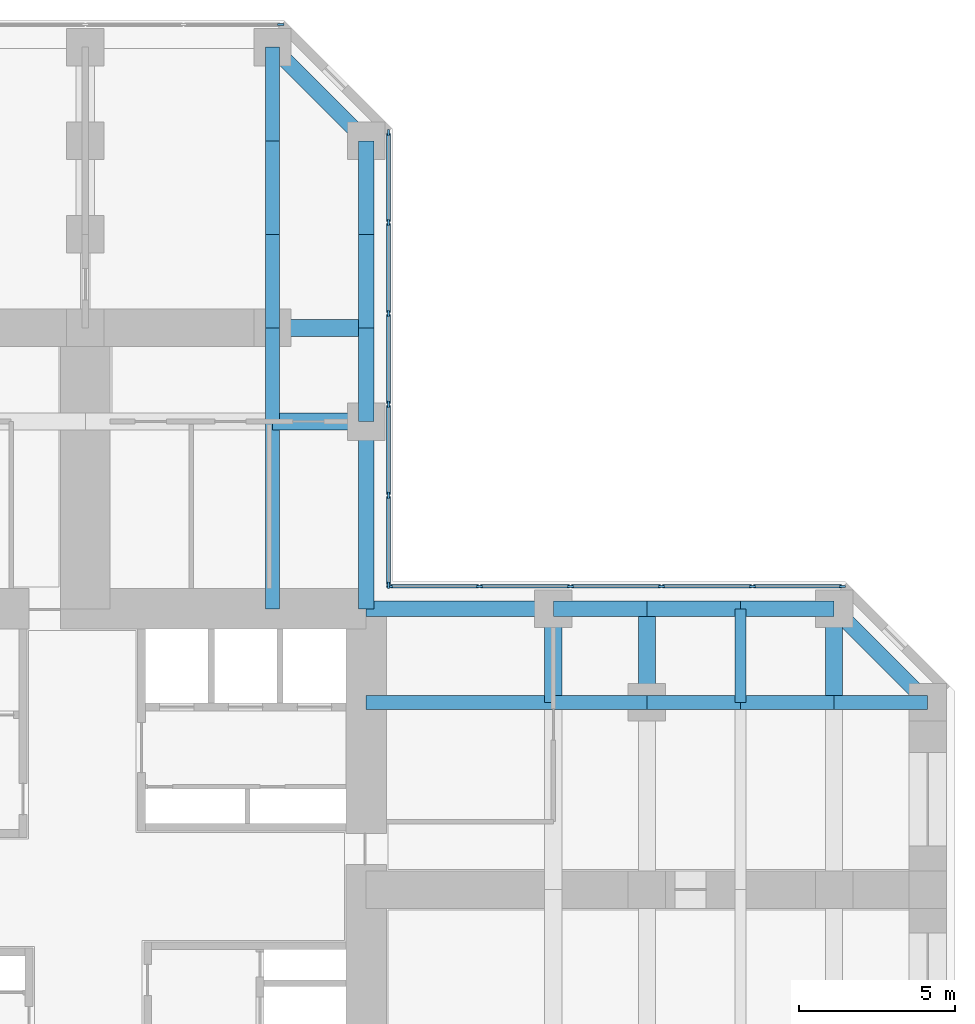
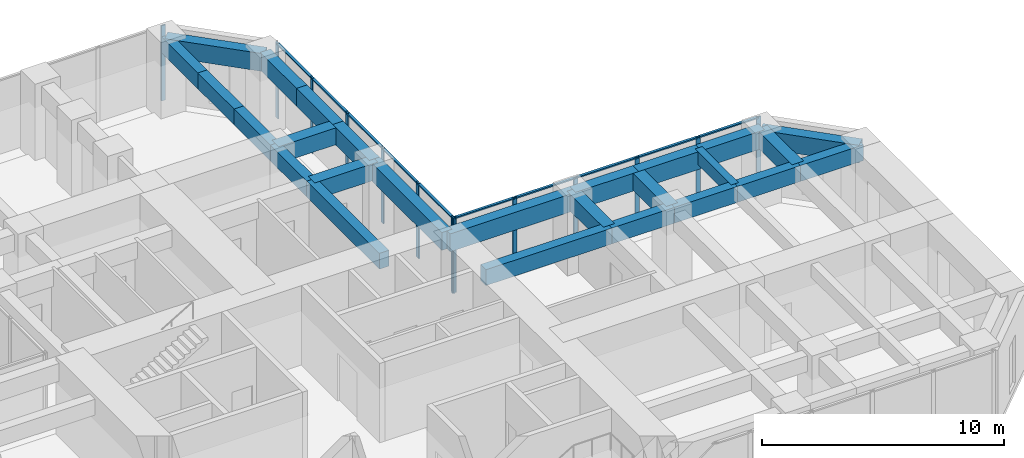
# One storey, part 6 of 12: 26 beams, 23 members, 3 elements without a shape of their own.
"""IFC4 building model written with IfcOpenShell, lengths in metres."""

import ifcopenshell
import ifcopenshell.guid

model = None  # the IFC model being written
_history = None  # IfcOwnerHistory: only IFC2X3 demands one
_inside = {}  # id of a spatial element -> (the spatial element, [elements in it])
_under = {}  # id of a project, library or spatial element -> (it, [spatial elements below it])
_declared = {}  # id of a project -> (the project, [libraries it declares])
_typed = {}  # id of a type object -> (the type object, [elements of that type])
_made_of = {}  # id of a material, layer set ... -> (it, [elements and type objects made of it])


def new_model(schema):
    """Start an empty IFC model of exactly this schema.

    Asked for "IFC4X3", IfcOpenShell would pick the latest addendum, in which some entities
    have other attributes; the version numbers below select the first issue.
    IFC2X3 requires an IfcOwnerHistory on every rooted entity: one is made here for all.
    """
    global model, _history
    if schema == "IFC4X3":
        model = ifcopenshell.file(schema_version=(4, 3, 0, 0))
    else:
        model = ifcopenshell.file(schema=schema)
    _inside.clear()
    _under.clear()
    _declared.clear()
    _typed.clear()
    _made_of.clear()
    _history = None
    if model.schema == "IFC2X3":
        org = make("IfcOrganization", Name="unknown")
        user = make(
            "IfcPersonAndOrganization",
            ThePerson=make("IfcPerson", FamilyName="unknown"),
            TheOrganization=org,
        )
        app = make(
            "IfcApplication",
            ApplicationDeveloper=org,
            Version="unknown",
            ApplicationFullName="unknown",
            ApplicationIdentifier="unknown",
        )
        _history = make(
            "IfcOwnerHistory",
            OwningUser=user,
            OwningApplication=app,
            ChangeAction="ADDED",
            CreationDate=0,
        )
    return model


def make(cls, **values):
    """One entity of the class cls with the attributes given. An attribute that is None is left unset."""
    return model.create_entity(
        cls, **{name: value for name, value in values.items() if value is not None}
    )


def rooted(cls, **values):
    """An entity with a GlobalId (a new one), such as an element, a storey or a relation."""
    return make(cls, GlobalId=ifcopenshell.guid.new(), OwnerHistory=_history, **values)


def si_unit(unit_type, name, prefix=None):
    """IfcSIUnit, for example si_unit("LENGTHUNIT", "METRE", prefix="MILLI")."""
    return make("IfcSIUnit", UnitType=unit_type, Prefix=prefix, Name=name)


def assignment(units):
    """IfcUnitAssignment: the units of a project."""
    return None if units is None else make("IfcUnitAssignment", Units=units)


def point(xyz):
    """IfcCartesianPoint."""
    return None if xyz is None else make("IfcCartesianPoint", Coordinates=xyz)


def direction(xyz):
    """IfcDirection."""
    return None if xyz is None else make("IfcDirection", DirectionRatios=xyz)


def frame(location, z_axis=None, x_axis=None):
    """IfcAxis2Placement3D, a coordinate frame: its origin and axes. An axis left out is left unset."""
    return make(
        "IfcAxis2Placement3D",
        Location=point(location),
        Axis=direction(z_axis),
        RefDirection=direction(x_axis),
    )


def frame_2d(location, x_axis=None):
    """IfcAxis2Placement2D, a coordinate frame in the plane: its origin and x axis."""
    return make(
        "IfcAxis2Placement2D", Location=point(location), RefDirection=direction(x_axis)
    )


def origin():
    """The frame at (0, 0, 0) with its axes left unset."""
    return frame((0.0, 0.0, 0.0))


def origin_2d():
    """The frame at (0, 0) in the plane with its x axis left unset."""
    return frame_2d((0.0, 0.0))


def place(relative_to, where):
    """IfcLocalPlacement: puts the frame where relative to a parent placement (None: the world)."""
    return make(
        "IfcLocalPlacement", PlacementRelTo=relative_to, RelativePlacement=where
    )


def context(
    kind, dimensions, precision=None, world=None, true_north=None, identifier=None
):
    """IfcGeometricRepresentationContext, for example the 3D "Model" context."""
    return make(
        "IfcGeometricRepresentationContext",
        ContextIdentifier=identifier,
        ContextType=kind,
        CoordinateSpaceDimension=dimensions,
        Precision=precision,
        WorldCoordinateSystem=world,
        TrueNorth=true_north,
    )


def subcontext(parent, identifier, kind, view, scale=None):
    """IfcGeometricRepresentationSubContext, for example "Body" below "Model"."""
    return make(
        "IfcGeometricRepresentationSubContext",
        ContextIdentifier=identifier,
        ContextType=kind,
        ParentContext=parent,
        TargetScale=scale,
        TargetView=view,
    )


def project(units=None, contexts=None):
    """IfcProject with its units and contexts."""
    return rooted(
        "IfcProject",
        Name="project",
        RepresentationContexts=contexts,
        UnitsInContext=assignment(units),
    )


def spatial(cls, under=None, at=None, **own):
    """A site, building, storey or space (cls), placed at a placement, below another one or the project."""
    s = rooted(cls, ObjectPlacement=at, **own)
    if under is not None:
        _under.setdefault(under.id(), (under, []))[1].append(s)
    return s


def profile(cls, at=None, kind="AREA", **sizes):
    """A parametric profile (cls). Its sizes go by their IFC names, for example OverallWidth=200.0."""
    return make(cls, ProfileType=kind, Position=at, **sizes)


def rectangle(**sizes):
    """IfcRectangleProfileDef."""
    return profile("IfcRectangleProfileDef", **sizes)


def extrude(swept, where, along, depth):
    """IfcExtrudedAreaSolid: the profile swept, set in the frame where, extruded along a direction by depth."""
    return make(
        "IfcExtrudedAreaSolid",
        SweptArea=swept,
        Position=where,
        ExtrudedDirection=direction(along),
        Depth=depth,
    )


def shape(context_of_items, identifier, shape_type, items):
    """IfcShapeRepresentation: the items that make up one representation, for example the "Body"."""
    return make(
        "IfcShapeRepresentation",
        ContextOfItems=context_of_items,
        RepresentationIdentifier=identifier,
        RepresentationType=shape_type,
        Items=items,
    )


def material(Name=None, Category=None):
    """IfcMaterial."""
    return make("IfcMaterial", Name=Name, Category=Category)


def material_profile(
    of_material, cross_section, Name=None, Category=None, Priority=None
):
    """IfcMaterialProfile: a cross section and its material."""
    return make(
        "IfcMaterialProfile",
        Name=Name,
        Material=of_material,
        Profile=cross_section,
        Priority=Priority,
        Category=Category,
    )


def profile_set(profiles, Name=None, composite=None):
    """IfcMaterialProfileSet."""
    return make(
        "IfcMaterialProfileSet",
        Name=Name,
        MaterialProfiles=profiles,
        CompositeProfile=composite,
    )


def made_of(thing, what):
    """Note that an element or type object is made of a material, layer set ...; save() writes the relation."""
    if what is not None:
        _made_of.setdefault(what.id(), (what, []))[1].append(thing)
    return thing


def type_object(cls, material=None, **own):
    """A type object (cls), such as IfcWallType, which elements share."""
    return made_of(rooted(cls, **own), material)


def element(
    cls,
    number,
    at=None,
    inside=None,
    cuts=None,
    type_object=None,
    material=None,
    context=None,
    identifier="Body",
    shape_type=None,
    held_by="IfcProductDefinitionShape",
    body=None,
    shapes=None,
    **own,
):
    """One element of the class cls, such as IfcWall. Its Tag is "e" and its number.

    at: its placement. inside: the storey or other place that contains it. cuts: it is an
    opening in that element (IfcRelVoidsElement). A single representation is given by context,
    identifier, shape_type and body (its items); several are given by shapes. held_by: the class
    of the entity that holds the representations. save() writes the other relations.
    """
    e = rooted(cls, Tag="e%d" % number, ObjectPlacement=at, **own)
    if body is not None:
        shapes = [shape(context, identifier, shape_type, body)]
    if shapes is not None:
        e.Representation = make(held_by, Representations=shapes)
    if inside is not None:
        _inside.setdefault(inside.id(), (inside, []))[1].append(e)
    if cuts is not None:
        rooted(
            "IfcRelVoidsElement", RelatingBuildingElement=cuts, RelatedOpeningElement=e
        )
    if type_object is not None:
        _typed.setdefault(type_object.id(), (type_object, []))[1].append(e)
    return made_of(e, material)


def aggregate(whole, parts):
    """IfcRelAggregates: a whole, such as a stair, and the parts it consists of."""
    return rooted("IfcRelAggregates", RelatingObject=whole, RelatedObjects=parts)


def save(model, path):
    """Write the relations noted so far, then the file.

    IfcRelAggregates (storeys below a building ...), IfcRelContainedInSpatialStructure (elements
    in a storey), IfcRelDefinesByType, IfcRelAssociatesMaterial and IfcRelDeclares: one each for
    every whole, place, type object, material and project.
    """
    for whole, parts in _under.values():
        aggregate(whole, parts)
    for where, things in _inside.values():
        rooted(
            "IfcRelContainedInSpatialStructure",
            RelatedElements=things,
            RelatingStructure=where,
        )
    for kind, things in _typed.values():
        rooted("IfcRelDefinesByType", RelatedObjects=things, RelatingType=kind)
    for what, things in _made_of.values():
        rooted("IfcRelAssociatesMaterial", RelatedObjects=things, RelatingMaterial=what)
    for by, libraries in _declared.values():
        rooted("IfcRelDeclares", RelatingContext=by, RelatedDefinitions=libraries)
    model.write(path)


model = new_model("IFC4")

# Units and contexts
model_context = context("Model", 3, precision=1e-05, world=origin(), true_north=direction((0.0, 1.0)))
body_context = subcontext(model_context, "Body", "Model", "MODEL_VIEW")
ifc_project = project(units=[si_unit("LENGTHUNIT", "METRE"), si_unit("AREAUNIT", "SQUARE_METRE"), si_unit("VOLUMEUNIT", "CUBIC_METRE"), si_unit("PLANEANGLEUNIT", "RADIAN"), si_unit("MASSUNIT", "GRAM", prefix="KILO")], contexts=[model_context])

# Site, building, storey
site_placement = place(None, origin())
site = spatial("IfcSite", under=ifc_project, at=site_placement, CompositionType="ELEMENT")
building_placement = place(site_placement, origin())
building = spatial("IfcBuilding", under=site, at=building_placement, Name="Torre Cruceta", CompositionType="ELEMENT")
storey_placement = place(building_placement, frame((0.0, 0.0, 71.5)))
storey = spatial("IfcBuildingStorey", under=building, at=storey_placement, Name="L17", CompositionType="ELEMENT", Elevation=71.5)

# Beams
ifc_material_1 = material(Name="Concrete G60 (fck 60 MPa)", Category="concrete")
ifc_material_profile_1 = material_profile(ifc_material_1, rectangle(XDim=0.449951171875, YDim=0.800048828125, at=origin_2d()), Name="RC 450X800")
ifc_profile_set_1 = profile_set([ifc_material_profile_1], Name="Concrete G60 (fck 60 MPa)")
beam_type_1 = type_object("IfcBeamType", Name="COLUMN LINE BEAM RC 450X800", PredefinedType="BEAM", material=ifc_profile_set_1)
beam_1_placement = place(storey_placement, frame((6.0, 9.0, 3.39990234375), z_axis=(0.0, 1.0, 0.0), x_axis=(-1.0, 0.0, 0.0)))
element("IfcBeam", 1, at=beam_1_placement, inside=storey, type_object=beam_type_1, Name="LB1 L17 N col- 1", PredefinedType="BEAM", context=body_context, shape_type="SweptSolid", body=[
    extrude(rectangle(XDim=0.449951171875, YDim=0.800048828125, at=origin_2d()), origin(), (0.0, 0.0, 1.0), 6.0),
])
for number, where, z_axis, x_axis, name in (
    (2, (6.0, 15.0, 3.39990234375), (0.0, 1.0, 0.0), (-1.0, 0.0, 0.0), "LB1 L17 N col- 2"),
    (3, (6.0, 18.0, 3.39990234375), (0.0, 1.0, 0.0), (-1.0, 0.0, 0.0), "LB1 L17 N col- 3"),
    (4, (6.0, 21.0, 3.39990234375), (0.0, 1.0, 0.0), (-1.0, 0.0, 0.0), "LB1 L17 N col- 4"),
    (5, (6.0, 24.0, 3.39990234375), (0.0, 1.0, 0.0), (-1.0, 0.0, 0.0), "LB1 L17 N col- 5"),
):
    element("IfcBeam", number, at=place(storey_placement, frame(where, z_axis=z_axis, x_axis=x_axis)), inside=storey, type_object=beam_type_1, Name=name, PredefinedType="BEAM", context=body_context, shape_type="SweptSolid", body=[
        extrude(rectangle(XDim=0.449951171875, YDim=0.800048828125, at=origin_2d()), origin(), (0.0, 0.0, 1.0), 3.0),
    ])
beam_2_placement = place(storey_placement, frame((9.0, 6.0, 3.39990234375), z_axis=(1.0, 0.0, 0.0), x_axis=(0.0, 1.0, 0.0)))
element("IfcBeam", 6, at=beam_2_placement, inside=storey, type_object=beam_type_1, Name="LB1 L17 E col+ 1", PredefinedType="BEAM", context=body_context, shape_type="SweptSolid", body=[
    extrude(rectangle(XDim=0.449951171875, YDim=0.800048828125, at=origin_2d()), origin(), (0.0, 0.0, 1.0), 6.0),
])
for number, where, z_axis, x_axis, name in (
    (7, (15.0, 6.0, 3.39990234375), (1.0, 0.0, 0.0), (0.0, 1.0, 0.0), "LB1 L17 E col+ 2"),
    (8, (18.0, 6.0, 3.39990234375), (1.0, 0.0, 0.0), (0.0, 1.0, 0.0), "LB1 L17 E col+ 3"),
    (9, (21.0, 6.0, 3.39990234375), (1.0, 0.0, 0.0), (0.0, 1.0, 0.0), "LB1 L17 E col+ 4"),
    (10, (24.0, 6.0, 3.39990234375), (1.0, 0.0, 0.0), (0.0, 1.0, 0.0), "LB1 L17 E col+ 5"),
):
    element("IfcBeam", number, at=place(storey_placement, frame(where, z_axis=z_axis, x_axis=x_axis)), inside=storey, type_object=beam_type_1, Name=name, PredefinedType="BEAM", context=body_context, shape_type="SweptSolid", body=[
        extrude(rectangle(XDim=0.449951171875, YDim=0.800048828125, at=origin_2d()), origin(), (0.0, 0.0, 1.0), 3.0),
    ])
ifc_material_2 = material(Name="Concrete G60 (fck 60 MPa)", Category="concrete")
ifc_material_profile_2 = material_profile(ifc_material_2, rectangle(XDim=0.550048828125, YDim=0.85009765625, at=origin_2d()), Name="RC 550X850")
ifc_profile_set_2 = profile_set([ifc_material_profile_2], Name="Concrete G60 (fck 60 MPa)")
beam_type_2 = type_object("IfcBeamType", Name="CROSS BEAM RC 550X850", PredefinedType="BEAM", material=ifc_profile_set_2)
for number, where, z_axis, x_axis, name in (
    (11, (9.0, 15.0, 3.375), (-1.0, 0.0, 0.0), (0.0, -1.0, 0.0), "GB4 L17 N cross15 1"),
    (12, (9.0, 18.0, 3.375), (-1.0, 0.0, 0.0), (0.0, -1.0, 0.0), "GB4 L17 N cross18 1"),
    (13, (15.0, 6.0, 3.375), (0.0, 1.0, 0.0), (-1.0, 0.0, 0.0), "GB4 L17 E cross15 4"),
    (14, (18.0, 6.0, 3.375), (0.0, 1.0, 0.0), (-1.0, 0.0, 0.0), "GB4 L17 E cross18 4"),
    (15, (24.0, 6.0, 3.375), (0.0, 1.0, 0.0), (-1.0, 0.0, 0.0), "GB4 L17 E cross24 4"),
):
    element("IfcBeam", number, at=place(storey_placement, frame(where, z_axis=z_axis, x_axis=x_axis)), inside=storey, type_object=beam_type_2, Name=name, PredefinedType="BEAM", context=body_context, shape_type="SweptSolid", body=[
        extrude(rectangle(XDim=0.550048828125, YDim=0.85009765625, at=origin_2d()), origin(), (0.0, 0.0, 1.0), 3.0),
    ])

# Curtain wall, members
ifc_material_3 = material(Name="Aluminium unitised curtain wall", Category="aluminium")
curtain_wall_type = type_object("IfcCurtainWallType", Name="CURTAIN WALL CW-A OFFICE LOW RISE", PredefinedType="USERDEFINED", material=ifc_material_3)
curtain_wall_1_placement = place(storey_placement, origin())
curtain_wall_1 = element("IfcCurtainWall", 16, at=curtain_wall_1_placement, inside=storey, type_object=curtain_wall_type, Name="CW-A L17 E side 04", ObjectType="UNITISED", PredefinedType="USERDEFINED")
ifc_material_4 = material(Name="Aluminium mullion", Category="aluminium")
ifc_material_profile_3 = material_profile(ifc_material_4, rectangle(XDim=0.06494140625, YDim=0.199951171875, at=origin_2d()), Name="AL 65X200")
ifc_profile_set_3 = profile_set([ifc_material_profile_3], Name="Aluminium mullion")
member_type_1 = type_object("IfcMemberType", Name="CW-A MULLION 65X200", PredefinedType="MULLION", material=ifc_profile_set_3)
member_1_placement = place(storey_placement, frame((24.265625, 9.719970703125, 0.0), z_axis=(0.0, 0.0, 1.0), x_axis=(0.0, -1.0, 0.0)))
member_1 = element("IfcMember", 17, at=member_1_placement, type_object=member_type_1, Name="CW-A mullion 1", PredefinedType="MULLION", context=body_context, shape_type="SweptSolid", body=[
    extrude(rectangle(XDim=0.06494140625, YDim=0.199951171875, at=origin_2d()), origin(), (0.0, 0.0, 1.0), 3.800048828125),
])
member_2_placement = place(storey_placement, frame((21.382568359375, 9.719970703125, 0.0), z_axis=(0.0, 0.0, 1.0), x_axis=(0.0, -1.0, 0.0)))
member_2 = element("IfcMember", 18, at=member_2_placement, type_object=member_type_1, Name="CW-A mullion 2", PredefinedType="MULLION", context=body_context, shape_type="SweptSolid", body=[
    extrude(rectangle(XDim=0.06494140625, YDim=0.199951171875, at=origin_2d()), origin(), (0.0, 0.0, 1.0), 3.800048828125),
])
member_3_placement = place(storey_placement, frame((18.467041015625, 9.719970703125, 0.0), z_axis=(0.0, 0.0, 1.0), x_axis=(0.0, -1.0, 0.0)))
member_3 = element("IfcMember", 19, at=member_3_placement, type_object=member_type_1, Name="CW-A mullion 3", PredefinedType="MULLION", context=body_context, shape_type="SweptSolid", body=[
    extrude(rectangle(XDim=0.06494140625, YDim=0.199951171875, at=origin_2d()), origin(), (0.0, 0.0, 1.0), 3.800048828125),
])
member_4_placement = place(storey_placement, frame((15.55126953125, 9.719970703125, 0.0), z_axis=(0.0, 0.0, 1.0), x_axis=(0.0, -1.0, 0.0)))
member_4 = element("IfcMember", 20, at=member_4_placement, type_object=member_type_1, Name="CW-A mullion 4", PredefinedType="MULLION", context=body_context, shape_type="SweptSolid", body=[
    extrude(rectangle(XDim=0.06494140625, YDim=0.199951171875, at=origin_2d()), origin(), (0.0, 0.0, 1.0), 3.800048828125),
])
member_5_placement = place(storey_placement, frame((12.6357421875, 9.719970703125, 0.0), z_axis=(0.0, 0.0, 1.0), x_axis=(0.0, -1.0, 0.0)))
member_5 = element("IfcMember", 21, at=member_5_placement, type_object=member_type_1, Name="CW-A mullion 5", PredefinedType="MULLION", context=body_context, shape_type="SweptSolid", body=[
    extrude(rectangle(XDim=0.06494140625, YDim=0.199951171875, at=origin_2d()), origin(), (0.0, 0.0, 1.0), 3.800048828125),
])
member_6_placement = place(storey_placement, frame((9.75244140625, 9.719970703125, 0.0), z_axis=(0.0, 0.0, 1.0), x_axis=(0.0, -1.0, 0.0)))
member_6 = element("IfcMember", 22, at=member_6_placement, type_object=member_type_1, Name="CW-A mullion 6", PredefinedType="MULLION", context=body_context, shape_type="SweptSolid", body=[
    extrude(rectangle(XDim=0.06494140625, YDim=0.199951171875, at=origin_2d()), origin(), (0.0, 0.0, 1.0), 3.800048828125),
])

curtain_wall_2_placement = place(storey_placement, origin())
curtain_wall_2 = element("IfcCurtainWall", 23, at=curtain_wall_2_placement, inside=storey, type_object=curtain_wall_type, Name="CW-A L17 N side 05", ObjectType="UNITISED", PredefinedType="USERDEFINED")
member_7_placement = place(storey_placement, frame((9.719970703125, 9.75244140625, 0.0), z_axis=(0.0, 0.0, 1.0), x_axis=(-1.0, 0.0, 0.0)))
member_7 = element("IfcMember", 24, at=member_7_placement, type_object=member_type_1, Name="CW-A mullion 1", PredefinedType="MULLION", context=body_context, shape_type="SweptSolid", body=[
    extrude(rectangle(XDim=0.06494140625, YDim=0.199951171875, at=origin_2d()), origin(), (0.0, 0.0, 1.0), 3.800048828125),
])
member_8_placement = place(storey_placement, frame((9.719970703125, 12.6357421875, 0.0), z_axis=(0.0, 0.0, 1.0), x_axis=(-1.0, 0.0, 0.0)))
member_8 = element("IfcMember", 25, at=member_8_placement, type_object=member_type_1, Name="CW-A mullion 2", PredefinedType="MULLION", context=body_context, shape_type="SweptSolid", body=[
    extrude(rectangle(XDim=0.06494140625, YDim=0.199951171875, at=origin_2d()), origin(), (0.0, 0.0, 1.0), 3.800048828125),
])
member_9_placement = place(storey_placement, frame((9.719970703125, 15.55126953125, 0.0), z_axis=(0.0, 0.0, 1.0), x_axis=(-1.0, 0.0, 0.0)))
member_9 = element("IfcMember", 26, at=member_9_placement, type_object=member_type_1, Name="CW-A mullion 3", PredefinedType="MULLION", context=body_context, shape_type="SweptSolid", body=[
    extrude(rectangle(XDim=0.06494140625, YDim=0.199951171875, at=origin_2d()), origin(), (0.0, 0.0, 1.0), 3.800048828125),
])
member_10_placement = place(storey_placement, frame((9.719970703125, 18.467041015625, 0.0), z_axis=(0.0, 0.0, 1.0), x_axis=(-1.0, 0.0, 0.0)))
member_10 = element("IfcMember", 27, at=member_10_placement, type_object=member_type_1, Name="CW-A mullion 4", PredefinedType="MULLION", context=body_context, shape_type="SweptSolid", body=[
    extrude(rectangle(XDim=0.06494140625, YDim=0.199951171875, at=origin_2d()), origin(), (0.0, 0.0, 1.0), 3.800048828125),
])
member_11_placement = place(storey_placement, frame((9.719970703125, 21.382568359375, 0.0), z_axis=(0.0, 0.0, 1.0), x_axis=(-1.0, 0.0, 0.0)))
member_11 = element("IfcMember", 28, at=member_11_placement, type_object=member_type_1, Name="CW-A mullion 5", PredefinedType="MULLION", context=body_context, shape_type="SweptSolid", body=[
    extrude(rectangle(XDim=0.06494140625, YDim=0.199951171875, at=origin_2d()), origin(), (0.0, 0.0, 1.0), 3.800048828125),
])
member_12_placement = place(storey_placement, frame((9.719970703125, 24.265625, 0.0), z_axis=(0.0, 0.0, 1.0), x_axis=(-1.0, 0.0, 0.0)))
member_12 = element("IfcMember", 29, at=member_12_placement, type_object=member_type_1, Name="CW-A mullion 6", PredefinedType="MULLION", context=body_context, shape_type="SweptSolid", body=[
    extrude(rectangle(XDim=0.06494140625, YDim=0.199951171875, at=origin_2d()), origin(), (0.0, 0.0, 1.0), 3.800048828125),
])

# Curtain wall, member
curtain_wall_3_placement = place(storey_placement, origin())
curtain_wall_3 = element("IfcCurtainWall", 30, at=curtain_wall_3_placement, inside=storey, type_object=curtain_wall_type, Name="CW-A L17 N tip 07", ObjectType="UNITISED", PredefinedType="USERDEFINED")
member_13_placement = place(storey_placement, frame((6.265625, 27.719970703125, 0.0), z_axis=(0.0, 0.0, 1.0), x_axis=(0.0, -1.0, 0.0)))
member_13 = element("IfcMember", 31, at=member_13_placement, type_object=member_type_1, Name="CW-A mullion 1", PredefinedType="MULLION", context=body_context, shape_type="SweptSolid", body=[
    extrude(rectangle(XDim=0.06494140625, YDim=0.199951171875, at=origin_2d()), origin(), (0.0, 0.0, 1.0), 3.800048828125),
])
aggregate(curtain_wall_3, [member_13])

# Member
ifc_material_5 = material(Name="Aluminium transom", Category="aluminium")
ifc_material_profile_4 = material_profile(ifc_material_5, rectangle(XDim=0.1201171875, YDim=0.06494140625, at=origin_2d()), Name="AL 120X65")
ifc_profile_set_4 = profile_set([ifc_material_profile_4], Name="Aluminium transom")
member_type_2 = type_object("IfcMemberType", Name="CW-A TRANSOM 65X120", PredefinedType="USERDEFINED", material=ifc_profile_set_4)
member_14_placement = place(storey_placement, frame((24.233154296875, 9.719970703125, 3.767578125), z_axis=(-1.0, 0.0, 0.0), x_axis=(0.0, -1.0, 0.0)))
member_14 = element("IfcMember", 32, at=member_14_placement, type_object=member_type_2, Name="CW-A transom 1", ObjectType="TRANSOM", PredefinedType="USERDEFINED", context=body_context, shape_type="SweptSolid", body=[
    extrude(rectangle(XDim=0.1201171875, YDim=0.06494140625, at=origin_2d()), origin(), (0.0, 0.0, 1.0), 2.818115234375),
])

member_15_placement = place(storey_placement, frame((21.35009765625, 9.719970703125, 3.767578125), z_axis=(-1.0, 0.0, 0.0), x_axis=(0.0, -1.0, 0.0)))
member_15 = element("IfcMember", 33, at=member_15_placement, type_object=member_type_2, Name="CW-A transom 2", ObjectType="TRANSOM", PredefinedType="USERDEFINED", context=body_context, shape_type="SweptSolid", body=[
    extrude(rectangle(XDim=0.1201171875, YDim=0.06494140625, at=origin_2d()), origin(), (0.0, 0.0, 1.0), 2.8505859375),
])

member_16_placement = place(storey_placement, frame((18.434326171875, 9.719970703125, 3.767578125), z_axis=(-1.0, 0.0, 0.0), x_axis=(0.0, -1.0, 0.0)))
member_16 = element("IfcMember", 34, at=member_16_placement, type_object=member_type_2, Name="CW-A transom 3", ObjectType="TRANSOM", PredefinedType="USERDEFINED", context=body_context, shape_type="SweptSolid", body=[
    extrude(rectangle(XDim=0.1201171875, YDim=0.06494140625, at=origin_2d()), origin(), (0.0, 0.0, 1.0), 2.8505859375),
])

member_17_placement = place(storey_placement, frame((15.518798828125, 9.719970703125, 3.767578125), z_axis=(-1.0, 0.0, 0.0), x_axis=(0.0, -1.0, 0.0)))
member_17 = element("IfcMember", 35, at=member_17_placement, type_object=member_type_2, Name="CW-A transom 4", ObjectType="TRANSOM", PredefinedType="USERDEFINED", context=body_context, shape_type="SweptSolid", body=[
    extrude(rectangle(XDim=0.1201171875, YDim=0.06494140625, at=origin_2d()), origin(), (0.0, 0.0, 1.0), 2.8505859375),
])

member_18_placement = place(storey_placement, frame((12.60302734375, 9.719970703125, 3.767578125), z_axis=(-1.0, 0.0, 0.0), x_axis=(0.0, -1.0, 0.0)))
member_18 = element("IfcMember", 36, at=member_18_placement, type_object=member_type_2, Name="CW-A transom 5", ObjectType="TRANSOM", PredefinedType="USERDEFINED", context=body_context, shape_type="SweptSolid", body=[
    extrude(rectangle(XDim=0.1201171875, YDim=0.06494140625, at=origin_2d()), origin(), (0.0, 0.0, 1.0), 2.818115234375),
])

aggregate(curtain_wall_1, [member_1, member_2, member_3, member_4, member_5, member_6, member_14, member_15, member_16, member_17, member_18])

member_19_placement = place(storey_placement, frame((9.719970703125, 9.784912109375, 3.767578125), z_axis=(0.0, 1.0, 0.0), x_axis=(-1.0, 0.0, 0.0)))
member_19 = element("IfcMember", 37, at=member_19_placement, type_object=member_type_2, Name="CW-A transom 1", ObjectType="TRANSOM", PredefinedType="USERDEFINED", context=body_context, shape_type="SweptSolid", body=[
    extrude(rectangle(XDim=0.1201171875, YDim=0.06494140625, at=origin_2d()), origin(), (0.0, 0.0, 1.0), 2.818115234375),
])

member_20_placement = place(storey_placement, frame((9.719970703125, 12.668212890625, 3.767578125), z_axis=(0.0, 1.0, 0.0), x_axis=(-1.0, 0.0, 0.0)))
member_20 = element("IfcMember", 38, at=member_20_placement, type_object=member_type_2, Name="CW-A transom 2", ObjectType="TRANSOM", PredefinedType="USERDEFINED", context=body_context, shape_type="SweptSolid", body=[
    extrude(rectangle(XDim=0.1201171875, YDim=0.06494140625, at=origin_2d()), origin(), (0.0, 0.0, 1.0), 2.8505859375),
])

member_21_placement = place(storey_placement, frame((9.719970703125, 15.583740234375, 3.767578125), z_axis=(0.0, 1.0, 0.0), x_axis=(-1.0, 0.0, 0.0)))
member_21 = element("IfcMember", 39, at=member_21_placement, type_object=member_type_2, Name="CW-A transom 3", ObjectType="TRANSOM", PredefinedType="USERDEFINED", context=body_context, shape_type="SweptSolid", body=[
    extrude(rectangle(XDim=0.1201171875, YDim=0.06494140625, at=origin_2d()), origin(), (0.0, 0.0, 1.0), 2.8505859375),
])

member_22_placement = place(storey_placement, frame((9.719970703125, 18.49951171875, 3.767578125), z_axis=(0.0, 1.0, 0.0), x_axis=(-1.0, 0.0, 0.0)))
member_22 = element("IfcMember", 40, at=member_22_placement, type_object=member_type_2, Name="CW-A transom 4", ObjectType="TRANSOM", PredefinedType="USERDEFINED", context=body_context, shape_type="SweptSolid", body=[
    extrude(rectangle(XDim=0.1201171875, YDim=0.06494140625, at=origin_2d()), origin(), (0.0, 0.0, 1.0), 2.8505859375),
])

member_23_placement = place(storey_placement, frame((9.719970703125, 21.4150390625, 3.767578125), z_axis=(0.0, 1.0, 0.0), x_axis=(-1.0, 0.0, 0.0)))
member_23 = element("IfcMember", 41, at=member_23_placement, type_object=member_type_2, Name="CW-A transom 5", ObjectType="TRANSOM", PredefinedType="USERDEFINED", context=body_context, shape_type="SweptSolid", body=[
    extrude(rectangle(XDim=0.1201171875, YDim=0.06494140625, at=origin_2d()), origin(), (0.0, 0.0, 1.0), 2.818115234375),
])

aggregate(curtain_wall_2, [member_7, member_8, member_9, member_10, member_11, member_12, member_19, member_20, member_21, member_22, member_23])

# Beams
ifc_material_6 = material(Name="Concrete G60 (fck 60 MPa)", Category="concrete")
ifc_material_profile_5 = material_profile(ifc_material_6, rectangle(XDim=0.35009765625, YDim=0.64990234375, at=origin_2d()), Name="RC 350X650")
ifc_profile_set_5 = profile_set([ifc_material_profile_5], Name="Concrete G60 (fck 60 MPa)")
beam_type_3 = type_object("IfcBeamType", Name="SECONDARY BEAM RC 350X650", PredefinedType="JOIST", material=ifc_profile_set_5)
beam_3_placement = place(storey_placement, frame((21.0, 6.0, 3.47509765625), z_axis=(0.0, 1.0, 0.0), x_axis=(-1.0, 0.0, 0.0)))
element("IfcBeam", 42, at=beam_3_placement, inside=storey, type_object=beam_type_3, Name="JB3 L17 E sec21 4", PredefinedType="JOIST", context=body_context, shape_type="SweptSolid", body=[
    extrude(rectangle(XDim=0.35009765625, YDim=0.64990234375, at=origin_2d()), origin(), (0.0, 0.0, 1.0), 3.0),
])
ifc_material_7 = material(Name="Concrete G60 (fck 60 MPa)", Category="concrete")
ifc_material_profile_6 = material_profile(ifc_material_7, rectangle(XDim=0.5, YDim=0.89990234375, at=origin_2d()), Name="RC 500X900")
ifc_profile_set_6 = profile_set([ifc_material_profile_6], Name="Concrete G60 (fck 60 MPa)")
beam_type_4 = type_object("IfcBeamType", Name="SPANDREL BEAM RC 500X900", PredefinedType="SPANDREL", material=ifc_profile_set_6)
beam_4_placement = place(storey_placement, frame((9.0, 9.0, 3.35009765625), z_axis=(0.0, 1.0, 0.0), x_axis=(-1.0, 0.0, 0.0)))
element("IfcBeam", 43, at=beam_4_placement, inside=storey, type_object=beam_type_4, Name="SB4 L17 N side- 1", PredefinedType="SPANDREL", context=body_context, shape_type="SweptSolid", body=[
    extrude(rectangle(XDim=0.5, YDim=0.89990234375, at=origin_2d()), origin(), (0.0, 0.0, 1.0), 6.0),
])
for number, where, z_axis, x_axis, name in (
    (44, (9.0, 15.0, 3.35009765625), (0.0, 1.0, 0.0), (-1.0, 0.0, 0.0), "SB4 L17 N side- 2"),
    (45, (9.0, 18.0, 3.35009765625), (0.0, 1.0, 0.0), (-1.0, 0.0, 0.0), "SB4 L17 N side- 3"),
    (46, (9.0, 21.0, 3.35009765625), (0.0, 1.0, 0.0), (-1.0, 0.0, 0.0), "SB4 L17 N side- 4"),
):
    element("IfcBeam", number, at=place(storey_placement, frame(where, z_axis=z_axis, x_axis=x_axis)), inside=storey, type_object=beam_type_4, Name=name, PredefinedType="SPANDREL", context=body_context, shape_type="SweptSolid", body=[
        extrude(rectangle(XDim=0.5, YDim=0.89990234375, at=origin_2d()), origin(), (0.0, 0.0, 1.0), 3.0),
    ])
beam_5_placement = place(storey_placement, frame((9.0, 24.0, 3.35009765625), z_axis=(-0.707106781187, 0.707106781187, 0.0), x_axis=(-0.707106781187, -0.707106781187, 0.0)))
element("IfcBeam", 47, at=beam_5_placement, inside=storey, type_object=beam_type_4, Name="SB4 L17 N side- 5", PredefinedType="SPANDREL", context=body_context, shape_type="SweptSolid", body=[
    extrude(rectangle(XDim=0.5, YDim=0.89990234375, at=origin_2d()), origin(), (0.0, 0.0, 1.0), 4.24267578125),
])
beam_6_placement = place(storey_placement, frame((9.0, 9.0, 3.35009765625), z_axis=(1.0, 0.0, 0.0), x_axis=(0.0, 1.0, 0.0)))
element("IfcBeam", 48, at=beam_6_placement, inside=storey, type_object=beam_type_4, Name="SB4 L17 E side+ 1", PredefinedType="SPANDREL", context=body_context, shape_type="SweptSolid", body=[
    extrude(rectangle(XDim=0.5, YDim=0.89990234375, at=origin_2d()), origin(), (0.0, 0.0, 1.0), 6.0),
])
for number, where, z_axis, x_axis, name in (
    (49, (15.0, 9.0, 3.35009765625), (1.0, 0.0, 0.0), (0.0, 1.0, 0.0), "SB4 L17 E side+ 2"),
    (50, (18.0, 9.0, 3.35009765625), (1.0, 0.0, 0.0), (0.0, 1.0, 0.0), "SB4 L17 E side+ 3"),
    (51, (21.0, 9.0, 3.35009765625), (1.0, 0.0, 0.0), (0.0, 1.0, 0.0), "SB4 L17 E side+ 4"),
):
    element("IfcBeam", number, at=place(storey_placement, frame(where, z_axis=z_axis, x_axis=x_axis)), inside=storey, type_object=beam_type_4, Name=name, PredefinedType="SPANDREL", context=body_context, shape_type="SweptSolid", body=[
        extrude(rectangle(XDim=0.5, YDim=0.89990234375, at=origin_2d()), origin(), (0.0, 0.0, 1.0), 3.0),
    ])
beam_7_placement = place(storey_placement, frame((24.0, 9.0, 3.35009765625), z_axis=(0.707106781187, -0.707106781187, 0.0), x_axis=(0.707106781187, 0.707106781187, 0.0)))
element("IfcBeam", 52, at=beam_7_placement, inside=storey, type_object=beam_type_4, Name="SB4 L17 E side+ 5", PredefinedType="SPANDREL", context=body_context, shape_type="SweptSolid", body=[
    extrude(rectangle(XDim=0.5, YDim=0.89990234375, at=origin_2d()), origin(), (0.0, 0.0, 1.0), 4.24267578125),
])

save(model, "model.ifc")
